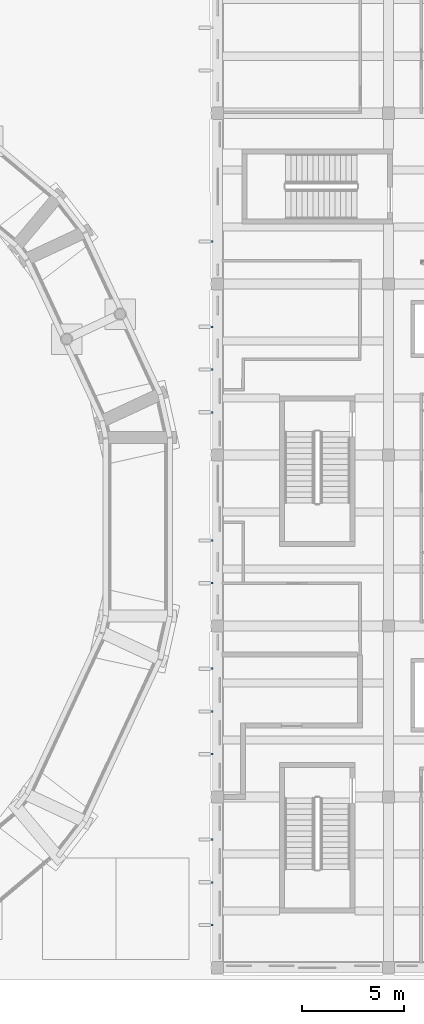
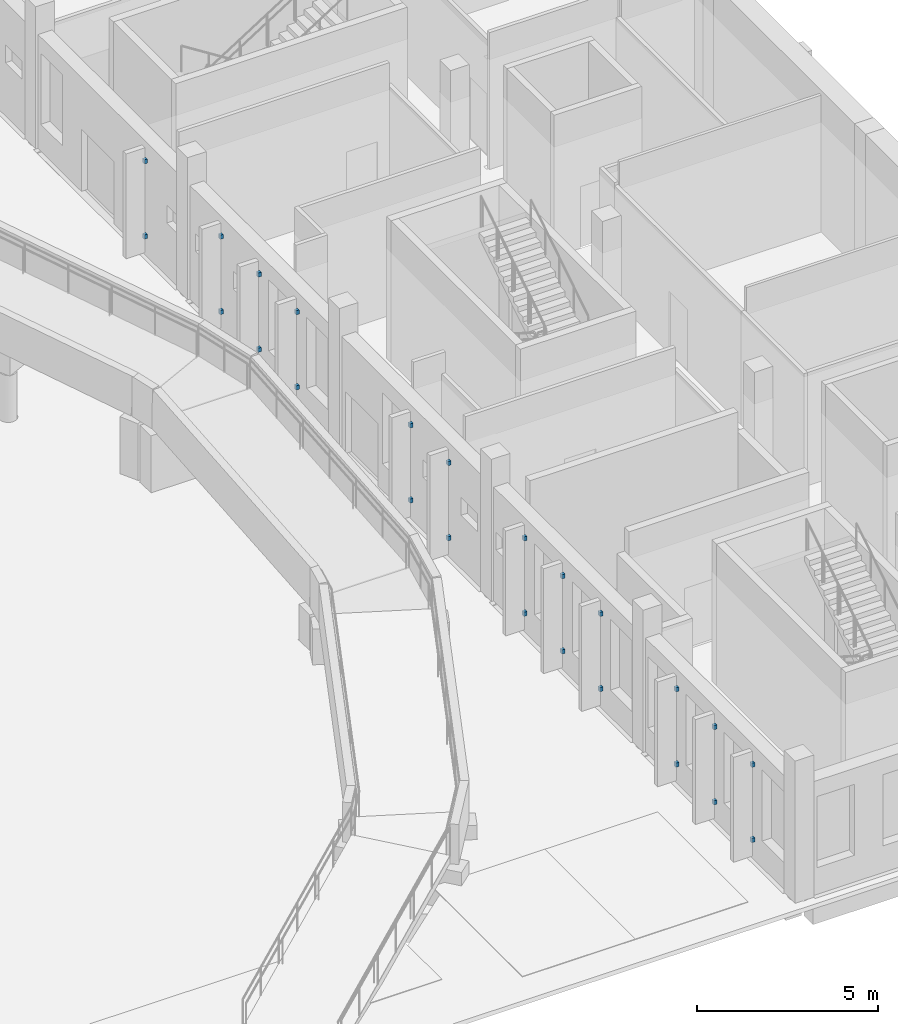
# One storey, part 74 of 110: 24 discrete accessories.
"""IFC4 building model written with IfcOpenShell, lengths in metres."""

from ifc_helpers import new_model, si_unit, direction, frame, origin, origin_2d, place, context, subcontext, project, spatial, rectangle, extrude, material, layer, layer_set, type_object, element, save


model = new_model("IFC4")

# Units and contexts
model_context = context("Model", 3, precision=1e-05, world=origin(), true_north=direction((0.0, 1.0)))
body_context = subcontext(model_context, "Body", "Model", "MODEL_VIEW")
ifc_project = project(units=[si_unit("LENGTHUNIT", "METRE"), si_unit("AREAUNIT", "SQUARE_METRE"), si_unit("VOLUMEUNIT", "CUBIC_METRE"), si_unit("PLANEANGLEUNIT", "RADIAN"), si_unit("MASSUNIT", "GRAM", prefix="KILO")], contexts=[model_context])

# Site, building, storey
site_placement = place(None, origin())
site = spatial("IfcSite", under=ifc_project, at=site_placement, CompositionType="ELEMENT")
building_placement = place(site_placement, origin())
building = spatial("IfcBuilding", under=site, at=building_placement, Name="Larchfold Concert Hall", CompositionType="ELEMENT")
storey_placement = place(building_placement, origin())
storey = spatial("IfcBuildingStorey", under=building, at=storey_placement, Name="L00", CompositionType="ELEMENT", Elevation=0.0)

# Discrete accessories
ifc_material = material(Name="Steel S355 galvanised bracket", Category="steel")
ifc_layer = layer(ifc_material, 0.10009765625)
ifc_layer_set = layer_set([ifc_layer], Name="Steel S355 galvanised bracket")
discrete_accessory_type = type_object("IfcDiscreteAccessoryType", Name="Fin support bracket", PredefinedType="BRACKET", material=ifc_layer_set)
for number, where, z_axis, x_axis, name in (
    (1, (84.3251953125, 36.300048828125, 0.6298828125), (0.0, 0.0, 1.0), (-1.0, 0.0, 0.0), "Fin bracket FN-L00-040-1"),
    (2, (84.3251953125, 36.300048828125, 3.169921875), (0.0, 0.0, 1.0), (-1.0, 0.0, 0.0), "Fin bracket FN-L00-040-2"),
    (3, (84.3251953125, 27.89990234375, 0.6298828125), (0.0, 0.0, 1.0), (-1.0, 0.0, 0.0), "Fin bracket FN-L00-041-1"),
    (4, (84.3251953125, 27.89990234375, 3.169921875), (0.0, 0.0, 1.0), (-1.0, 0.0, 0.0), "Fin bracket FN-L00-041-2"),
    (5, (84.3251953125, 30.0, 0.6298828125), (0.0, 0.0, 1.0), (-1.0, 0.0, 0.0), "Fin bracket FN-L00-042-1"),
    (6, (84.3251953125, 30.0, 3.169921875), (0.0, 0.0, 1.0), (-1.0, 0.0, 0.0), "Fin bracket FN-L00-042-2"),
    (7, (84.3251953125, 32.10009765625, 0.6298828125), (0.0, 0.0, 1.0), (-1.0, 0.0, 0.0), "Fin bracket FN-L00-043-1"),
    (8, (84.3251953125, 32.10009765625, 3.169921875), (0.0, 0.0, 1.0), (-1.0, 0.0, 0.0), "Fin bracket FN-L00-043-2"),
    (9, (84.3251953125, 19.5, 0.6298828125), (0.0, 0.0, 1.0), (-1.0, 0.0, 0.0), "Fin bracket FN-L00-044-1"),
    (10, (84.3251953125, 19.5, 3.169921875), (0.0, 0.0, 1.0), (-1.0, 0.0, 0.0), "Fin bracket FN-L00-044-2"),
    (11, (84.3251953125, 21.60009765625, 0.6298828125), (0.0, 0.0, 1.0), (-1.0, 0.0, 0.0), "Fin bracket FN-L00-045-1"),
    (12, (84.3251953125, 21.60009765625, 3.169921875), (0.0, 0.0, 1.0), (-1.0, 0.0, 0.0), "Fin bracket FN-L00-045-2"),
    (13, (84.3251953125, 11.10009765625, 0.6298828125), (0.0, 0.0, 1.0), (-1.0, 0.0, 0.0), "Fin bracket FN-L00-046-1"),
    (14, (84.3251953125, 11.10009765625, 3.169921875), (0.0, 0.0, 1.0), (-1.0, 0.0, 0.0), "Fin bracket FN-L00-046-2"),
    (15, (84.3251953125, 13.199951171875, 0.6298828125), (0.0, 0.0, 1.0), (-1.0, 0.0, 0.0), "Fin bracket FN-L00-047-1"),
    (16, (84.3251953125, 13.199951171875, 3.169921875), (0.0, 0.0, 1.0), (-1.0, 0.0, 0.0), "Fin bracket FN-L00-047-2"),
    (17, (84.3251953125, 15.300048828125, 0.6298828125), (0.0, 0.0, 1.0), (-1.0, 0.0, 0.0), "Fin bracket FN-L00-048-1"),
    (18, (84.3251953125, 15.300048828125, 3.169921875), (0.0, 0.0, 1.0), (-1.0, 0.0, 0.0), "Fin bracket FN-L00-048-2"),
    (19, (84.3251953125, 2.699951171875, 0.6298828125), (0.0, 0.0, 1.0), (-1.0, 0.0, 0.0), "Fin bracket FN-L00-049-1"),
    (20, (84.3251953125, 2.699951171875, 3.169921875), (0.0, 0.0, 1.0), (-1.0, 0.0, 0.0), "Fin bracket FN-L00-049-2"),
    (21, (84.3251953125, 4.800048828125, 0.6298828125), (0.0, 0.0, 1.0), (-1.0, 0.0, 0.0), "Fin bracket FN-L00-050-1"),
    (22, (84.3251953125, 4.800048828125, 3.169921875), (0.0, 0.0, 1.0), (-1.0, 0.0, 0.0), "Fin bracket FN-L00-050-2"),
    (23, (84.3251953125, 6.89990234375, 0.6298828125), (0.0, 0.0, 1.0), (-1.0, 0.0, 0.0), "Fin bracket FN-L00-051-1"),
    (24, (84.3251953125, 6.89990234375, 3.169921875), (0.0, 0.0, 1.0), (-1.0, 0.0, 0.0), "Fin bracket FN-L00-051-2"),
):
    element("IfcDiscreteAccessory", number, at=place(storey_placement, frame(where, z_axis=z_axis, x_axis=x_axis)), inside=storey, type_object=discrete_accessory_type, Name=name, PredefinedType="BRACKET", context=body_context, shape_type="SweptSolid", body=[
        extrude(rectangle(XDim=0.10009765625, YDim=0.10009765625, at=origin_2d()), origin(), (0.0, 0.0, 1.0), 0.139892578125),
    ])

save(model, "model.ifc")
